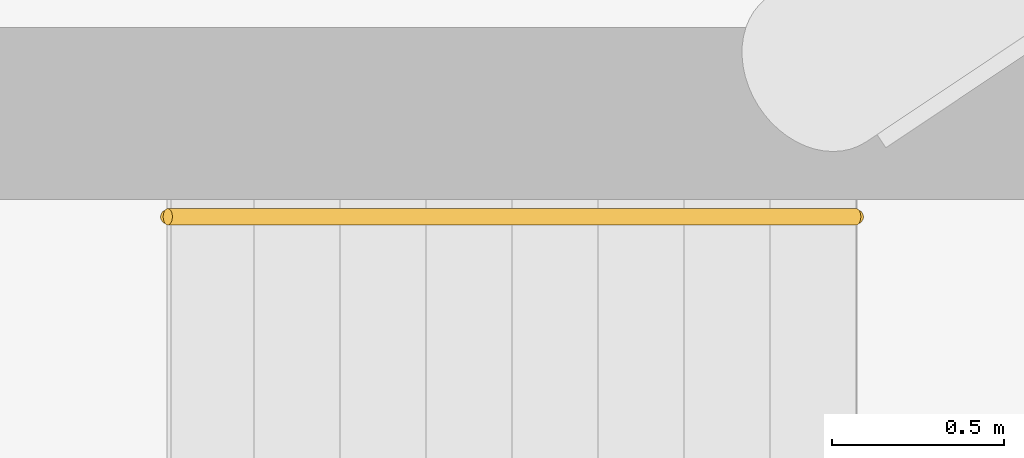
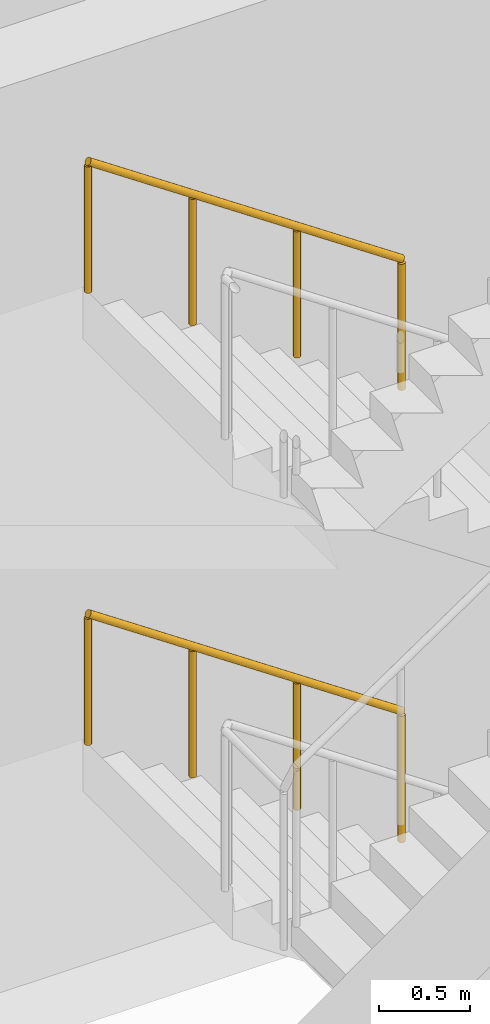
# One storey, part 24 of 24: 2 railings.
"""IFC4 building model written with IfcOpenShell, lengths in metres."""

from ifc_helpers import new_model, si_unit, direction, frame, origin, origin_2d, place, context, subcontext, project, spatial, circle, extrude, material, type_object, element, save


model = new_model("IFC4")

# Units and contexts
model_context = context("Model", 3, precision=1e-05, world=origin(), true_north=direction((0.0, 1.0)))
body_context = subcontext(model_context, "Body", "Model", "MODEL_VIEW")
ifc_project = project(units=[si_unit("LENGTHUNIT", "METRE"), si_unit("AREAUNIT", "SQUARE_METRE"), si_unit("VOLUMEUNIT", "CUBIC_METRE"), si_unit("PLANEANGLEUNIT", "RADIAN"), si_unit("MASSUNIT", "GRAM", prefix="KILO")], contexts=[model_context])

# Site, building, storey
site_placement = place(None, origin())
site = spatial("IfcSite", under=ifc_project, at=site_placement, CompositionType="ELEMENT")
building_placement = place(site_placement, origin())
building = spatial("IfcBuilding", under=site, at=building_placement, Name="Maasbend Ring Residences", CompositionType="ELEMENT")
storey_placement = place(building_placement, frame((0.0, 0.0, 179.89990234375)))
storey = spatial("IfcBuildingStorey", under=building, at=storey_placement, Name="L52", CompositionType="ELEMENT", Elevation=179.89990234375)

# Railings
ifc_material = material(Name="Stainless steel 316", Category="steel")
railing_type = type_object("IfcRailingType", Name="STAIR HANDRAIL 900", PredefinedType="HANDRAIL", material=ifc_material)
for number, where, name in (
    (1, (13.550048828125, 8.550048828125, 0.16943359375), "L52 ST-E1 stair handrail 1"),
    (2, (13.550048828125, 8.550048828125, 3.219482421875), "L52 ST-E1 stair handrail 3"),
):
    element("IfcRailing", number, at=place(storey_placement, frame(where)), inside=storey, type_object=railing_type, Name=name, PredefinedType="HANDRAIL", context=body_context, shape_type="SweptSolid", body=[
        extrude(circle(Radius=0.02392578125, at=origin_2d()), frame((0.0, 0.0, 0.8759765625), z_axis=(-0.827750655447, 0.0, 0.561096116906), x_axis=(0.0, -1.0, 0.0)), (0.0, 0.0, 1.0), 2.416259765625),
        extrude(circle(Radius=0.02099609375, at=origin_2d()), origin(), (0.0, 0.0, 1.0), 0.851806640625),
        extrude(circle(Radius=0.02099609375, at=origin_2d()), frame((-0.666748046875, 0.0, 0.451904296875)), (0.0, 0.0, 1.0), 0.851806640625),
        extrude(circle(Radius=0.02099609375, at=origin_2d()), frame((-1.333251953125, 0.0, 0.90380859375)), (0.0, 0.0, 1.0), 0.851806640625),
        extrude(circle(Radius=0.02099609375, at=origin_2d()), frame((-2.0, 0.0, 1.355712890625)), (0.0, 0.0, 1.0), 0.851806640625),
    ])

save(model, "model.ifc")
